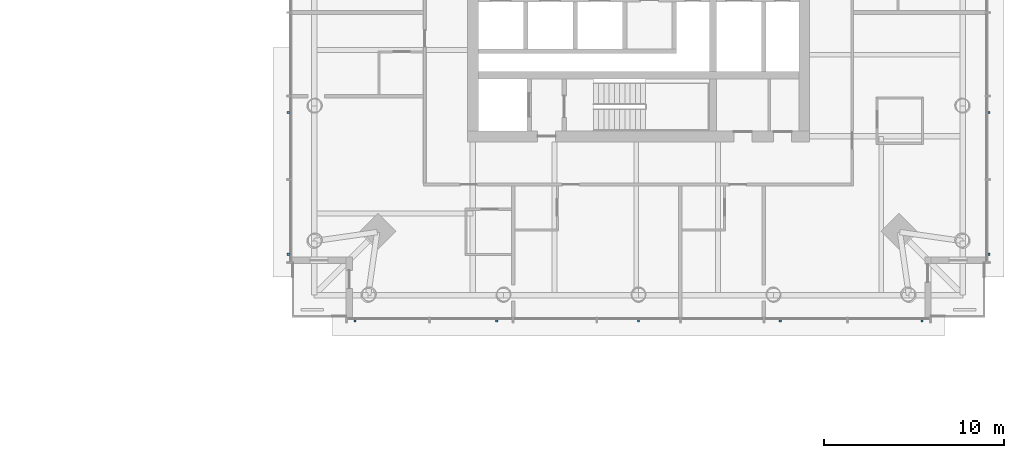
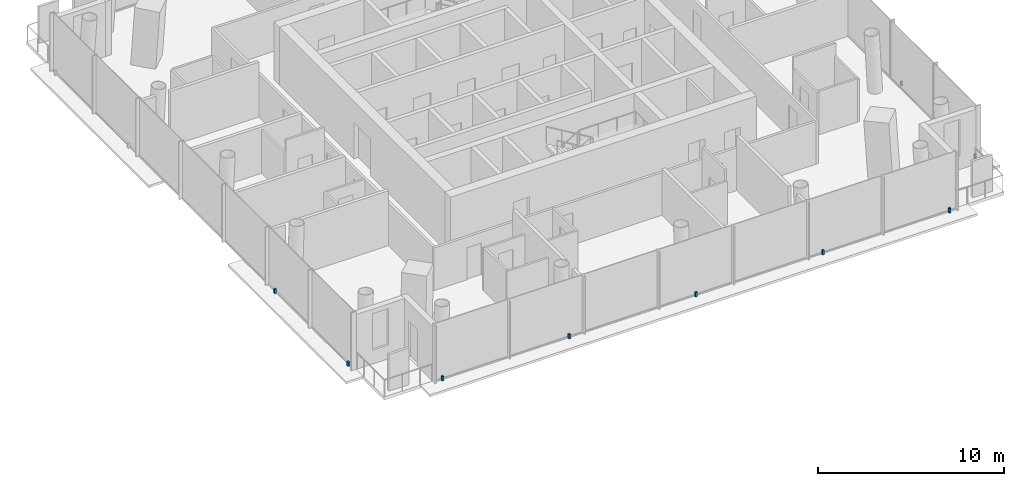
# One storey, part 17 of 21: 9 discrete accessories.
"""IFC4 building model written with IfcOpenShell, lengths in metres."""

from ifc_helpers import new_model, si_unit, direction, frame, origin, origin_2d, place, context, subcontext, project, spatial, rectangle, extrude, material, type_object, element, save


model = new_model("IFC4")

# Units and contexts
model_context = context("Model", 3, precision=1e-05, world=origin(), true_north=direction((0.0, 1.0)))
body_context = subcontext(model_context, "Body", "Model", "MODEL_VIEW")
ifc_project = project(units=[si_unit("LENGTHUNIT", "METRE"), si_unit("AREAUNIT", "SQUARE_METRE"), si_unit("VOLUMEUNIT", "CUBIC_METRE"), si_unit("PLANEANGLEUNIT", "RADIAN"), si_unit("MASSUNIT", "GRAM", prefix="KILO")], contexts=[model_context])

# Site, building, storey
site_placement = place(None, origin())
site = spatial("IfcSite", under=ifc_project, at=site_placement, CompositionType="ELEMENT")
building_placement = place(site_placement, origin())
building = spatial("IfcBuilding", under=site, at=building_placement, Name="Ostroluk Exchange", CompositionType="ELEMENT")
storey_placement = place(building_placement, frame((0.0, 0.0, 43.800048828125)))
storey = spatial("IfcBuildingStorey", under=building, at=storey_placement, Name="L10", CompositionType="ELEMENT", Elevation=43.800048828125)

# Discrete accessories
ifc_material = material(Name="Stainless steel", Category="steel")
discrete_accessory_type = type_object("IfcDiscreteAccessoryType", Name="Fall-arrest anchor PN-EN 795 type C", PredefinedType="USERDEFINED", material=ifc_material)
for number, where, z_axis, x_axis, name in (
    (1, (101.25, 26.5400390625, 0.0), (0.0, 0.0, 1.0), (1.0, 0.0, 0.0), "Fall-arrest anchor L10 south 1"),
    (2, (109.125, 26.5400390625, 0.0), (0.0, 0.0, 1.0), (1.0, 0.0, 0.0), "Fall-arrest anchor L10 south 2"),
    (3, (117.0, 26.5400390625, 0.0), (0.0, 0.0, 1.0), (1.0, 0.0, 0.0), "Fall-arrest anchor L10 south 3"),
    (4, (124.875, 26.5400390625, 0.0), (0.0, 0.0, 1.0), (1.0, 0.0, 0.0), "Fall-arrest anchor L10 south 4"),
    (5, (132.75, 26.5400390625, 0.0), (0.0, 0.0, 1.0), (1.0, 0.0, 0.0), "Fall-arrest anchor L10 south 5"),
    (6, (136.4599609375, 30.25, 0.0), (0.0, 0.0, 1.0), (1.0, 0.0, 0.0), "Fall-arrest anchor L10 east 1"),
    (7, (136.4599609375, 38.125, 0.0), (0.0, 0.0, 1.0), (1.0, 0.0, 0.0), "Fall-arrest anchor L10 east 2"),
    (8, (97.5400390625, 30.25, 0.0), (0.0, 0.0, 1.0), (1.0, 0.0, 0.0), "Fall-arrest anchor L10 west 1"),
    (9, (97.5400390625, 38.125, 0.0), (0.0, 0.0, 1.0), (1.0, 0.0, 0.0), "Fall-arrest anchor L10 west 2"),
):
    element("IfcDiscreteAccessory", number, at=place(storey_placement, frame(where, z_axis=z_axis, x_axis=x_axis)), inside=storey, type_object=discrete_accessory_type, Name=name, ObjectType="FALL ARREST ANCHOR", PredefinedType="USERDEFINED", context=body_context, shape_type="SweptSolid", body=[
        extrude(rectangle(XDim=0.1201171875, YDim=0.1201171875, at=origin_2d()), origin(), (0.0, 0.0, 1.0), 0.300048828125),
    ])

save(model, "model.ifc")
